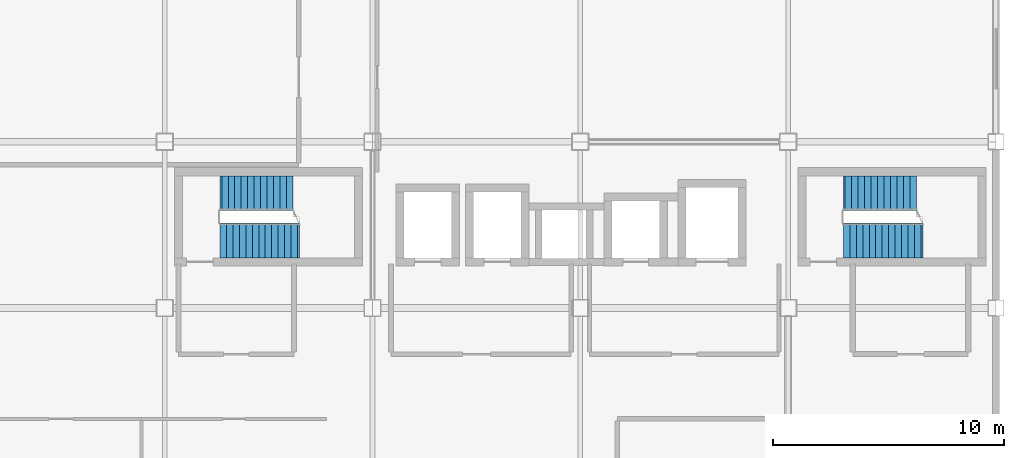
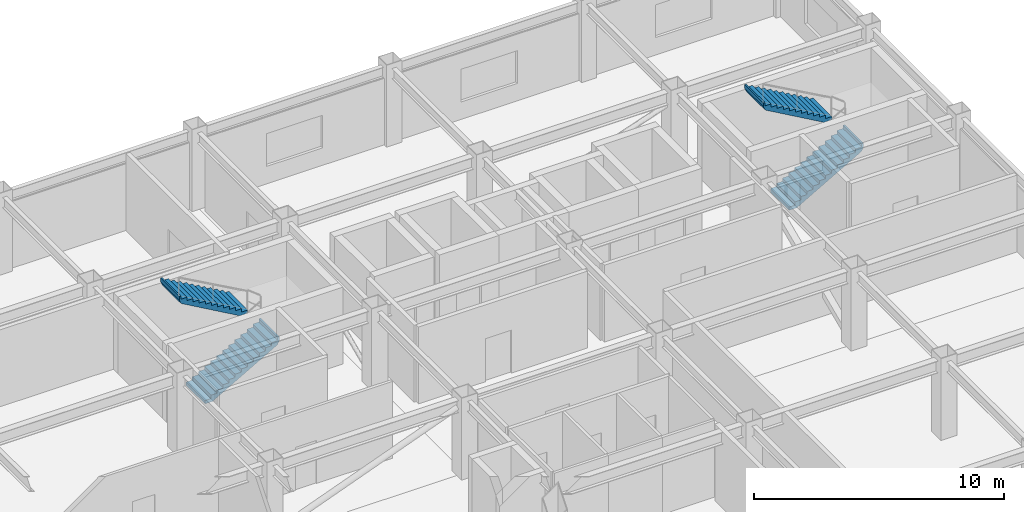
# One storey, part 107 of 122: 4 stair flights, 2 elements without a shape of their own.
"""IFC4 building model written with IfcOpenShell, lengths in metres."""

from ifc_helpers import new_model, si_unit, direction, frame, origin, place, context, subcontext, project, spatial, polyline, outline, extrude, material, type_object, element, aggregate, save


model = new_model("IFC4")

# Units and contexts
model_context = context("Model", 3, precision=1e-05, world=origin(), true_north=direction((0.0, 1.0)))
body_context = subcontext(model_context, "Body", "Model", "MODEL_VIEW")
ifc_project = project(units=[si_unit("LENGTHUNIT", "METRE"), si_unit("AREAUNIT", "SQUARE_METRE"), si_unit("VOLUMEUNIT", "CUBIC_METRE"), si_unit("PLANEANGLEUNIT", "RADIAN"), si_unit("MASSUNIT", "GRAM", prefix="KILO")], contexts=[model_context])

# Site, building, storey
site_placement = place(None, origin())
site = spatial("IfcSite", under=ifc_project, at=site_placement, CompositionType="ELEMENT")
building_placement = place(site_placement, origin())
building = spatial("IfcBuilding", under=site, at=building_placement, Name="Kazanami Central Library", CompositionType="ELEMENT")
storey_placement = place(building_placement, frame((0.0, 0.0, 4.800048828125)))
storey = spatial("IfcBuildingStorey", under=building, at=storey_placement, Name="L02", CompositionType="ELEMENT", Elevation=4.800048828125)

# Stair, stair flights
ifc_material = material(Name="Concrete Fc36 (36 MPa)", Category="concrete")
stair_type = type_object("IfcStairType", Name="STR-T40", PredefinedType="HALF_TURN_STAIR", material=ifc_material)
stair_1_placement = place(storey_placement, origin())
stair_1 = element("IfcStair", 1, at=stair_1_placement, inside=storey, type_object=stair_type, Name="Enclosed Escape Stair ST-01 (L02)", PredefinedType="HALF_TURN_STAIR")
stair_flight_type = type_object("IfcStairFlightType", Name="FLT-STR-T40", PredefinedType="STRAIGHT", material=ifc_material)
stair_flight_1_placement = place(storey_placement, frame((128.39404296875, 82.125, 0.0), z_axis=(0.0, 0.0, 1.0), x_axis=(1.0, 0.0, 0.0)))
stair_flight_1 = element("IfcStairFlight", 2, at=stair_flight_1_placement, type_object=stair_flight_type, Name="ST-01 flight 1", NumberOfRisers=13, NumberOfTreads=12, PredefinedType="STRAIGHT", RiserHeight=0.16, TreadLength=0.28, context=body_context, shape_type="SweptSolid", body=[
    extrude(outline(polyline([(0.0, 0.0), (0.0, 0.159912109375), (0.280029296875, 0.159912109375), (0.280029296875, 0.320068359375), (0.56005859375, 0.320068359375), (0.56005859375, 0.47998046875), (0.840087890625, 0.47998046875), (0.840087890625, 0.639892578125), (1.1201171875, 0.639892578125), (1.1201171875, 0.800048828125), (1.39990234375, 0.800048828125), (1.39990234375, 0.9599609375), (1.679931640625, 0.9599609375), (1.679931640625, 1.1201171875), (1.9599609375, 1.1201171875), (1.9599609375, 1.280029296875), (2.239990234375, 1.280029296875), (2.239990234375, 1.43994140625), (2.52001953125, 1.43994140625), (2.52001953125, 1.60009765625), (2.800048828125, 1.60009765625), (2.800048828125, 1.760009765625), (3.080078125, 1.760009765625), (3.080078125, 1.919921875), (3.360107421875, 1.919921875), (3.360107421875, 2.080078125), (3.440185546875, 2.080078125), (3.440185546875, 1.900146484375), (3.360107421875, 1.712646484375), (0.362548828125, 0.0), (0.0, 0.0)])), frame((0.0, 0.75, 0.0), z_axis=(0.0, -1.0, 0.0), x_axis=(1.0, 0.0, 0.0)), (0.0, 0.0, 1.0), 1.5),
])
stair_flight_2_placement = place(storey_placement, frame((131.553955078125, 84.175048828125, 2.079833984375), z_axis=(0.0, 0.0, 1.0), x_axis=(-1.0, 0.0, 0.0)))
stair_flight_2 = element("IfcStairFlight", 3, at=stair_flight_2_placement, type_object=stair_flight_type, Name="ST-01 flight 2", NumberOfRisers=12, NumberOfTreads=11, PredefinedType="STRAIGHT", RiserHeight=0.16, TreadLength=0.28, context=body_context, shape_type="SweptSolid", body=[
    extrude(outline(polyline([(0.0, 0.0), (0.0, 0.159912109375), (0.280029296875, 0.159912109375), (0.280029296875, 0.320068359375), (0.56005859375, 0.320068359375), (0.56005859375, 0.47998046875), (0.840087890625, 0.47998046875), (0.840087890625, 0.639892578125), (1.1201171875, 0.639892578125), (1.1201171875, 0.800048828125), (1.39990234375, 0.800048828125), (1.39990234375, 0.9599609375), (1.679931640625, 0.9599609375), (1.679931640625, 1.1201171875), (1.9599609375, 1.1201171875), (1.9599609375, 1.280029296875), (2.239990234375, 1.280029296875), (2.239990234375, 1.43994140625), (2.52001953125, 1.43994140625), (2.52001953125, 1.60009765625), (2.800048828125, 1.60009765625), (2.800048828125, 1.760009765625), (3.080078125, 1.760009765625), (3.080078125, 1.919921875), (3.16015625, 1.919921875), (3.16015625, 1.739990234375), (3.080078125, 1.552734375), (0.362548828125, 0.0), (0.0, 0.0)])), frame((0.0, 0.75, 0.0), z_axis=(0.0, -1.0, 0.0), x_axis=(1.0, 0.0, 0.0)), (0.0, 0.0, 1.0), 1.5),
])
aggregate(stair_1, [stair_flight_1, stair_flight_2])

stair_2_placement = place(storey_placement, origin())
stair_2 = element("IfcStair", 4, at=stair_2_placement, inside=storey, type_object=stair_type, Name="Enclosed Escape Stair ST-02 (L02)", PredefinedType="HALF_TURN_STAIR")
stair_flight_3_placement = place(storey_placement, frame((155.39404296875, 82.125, 0.0), z_axis=(0.0, 0.0, 1.0), x_axis=(1.0, 0.0, 0.0)))
stair_flight_3 = element("IfcStairFlight", 5, at=stair_flight_3_placement, type_object=stair_flight_type, Name="ST-02 flight 1", NumberOfRisers=13, NumberOfTreads=12, PredefinedType="STRAIGHT", RiserHeight=0.16, TreadLength=0.28, context=body_context, shape_type="SweptSolid", body=[
    extrude(outline(polyline([(0.0, 0.0), (0.0, 0.159912109375), (0.280029296875, 0.159912109375), (0.280029296875, 0.320068359375), (0.56005859375, 0.320068359375), (0.56005859375, 0.47998046875), (0.840087890625, 0.47998046875), (0.840087890625, 0.639892578125), (1.1201171875, 0.639892578125), (1.1201171875, 0.800048828125), (1.39990234375, 0.800048828125), (1.39990234375, 0.9599609375), (1.679931640625, 0.9599609375), (1.679931640625, 1.1201171875), (1.9599609375, 1.1201171875), (1.9599609375, 1.280029296875), (2.239990234375, 1.280029296875), (2.239990234375, 1.43994140625), (2.52001953125, 1.43994140625), (2.52001953125, 1.60009765625), (2.800048828125, 1.60009765625), (2.800048828125, 1.760009765625), (3.080078125, 1.760009765625), (3.080078125, 1.919921875), (3.360107421875, 1.919921875), (3.360107421875, 2.080078125), (3.440185546875, 2.080078125), (3.440185546875, 1.900146484375), (3.360107421875, 1.712646484375), (0.362548828125, 0.0), (0.0, 0.0)])), frame((0.0, 0.75, 0.0), z_axis=(0.0, -1.0, 0.0), x_axis=(1.0, 0.0, 0.0)), (0.0, 0.0, 1.0), 1.5),
])
stair_flight_4_placement = place(storey_placement, frame((158.553955078125, 84.175048828125, 2.079833984375), z_axis=(0.0, 0.0, 1.0), x_axis=(-1.0, 0.0, 0.0)))
stair_flight_4 = element("IfcStairFlight", 6, at=stair_flight_4_placement, type_object=stair_flight_type, Name="ST-02 flight 2", NumberOfRisers=12, NumberOfTreads=11, PredefinedType="STRAIGHT", RiserHeight=0.16, TreadLength=0.28, context=body_context, shape_type="SweptSolid", body=[
    extrude(outline(polyline([(0.0, 0.0), (0.0, 0.159912109375), (0.280029296875, 0.159912109375), (0.280029296875, 0.320068359375), (0.56005859375, 0.320068359375), (0.56005859375, 0.47998046875), (0.840087890625, 0.47998046875), (0.840087890625, 0.639892578125), (1.1201171875, 0.639892578125), (1.1201171875, 0.800048828125), (1.39990234375, 0.800048828125), (1.39990234375, 0.9599609375), (1.679931640625, 0.9599609375), (1.679931640625, 1.1201171875), (1.9599609375, 1.1201171875), (1.9599609375, 1.280029296875), (2.239990234375, 1.280029296875), (2.239990234375, 1.43994140625), (2.52001953125, 1.43994140625), (2.52001953125, 1.60009765625), (2.800048828125, 1.60009765625), (2.800048828125, 1.760009765625), (3.080078125, 1.760009765625), (3.080078125, 1.919921875), (3.16015625, 1.919921875), (3.16015625, 1.739990234375), (3.080078125, 1.552734375), (0.362548828125, 0.0), (0.0, 0.0)])), frame((0.0, 0.75, 0.0), z_axis=(0.0, -1.0, 0.0), x_axis=(1.0, 0.0, 0.0)), (0.0, 0.0, 1.0), 1.5),
])
aggregate(stair_2, [stair_flight_3, stair_flight_4])

save(model, "model.ifc")
